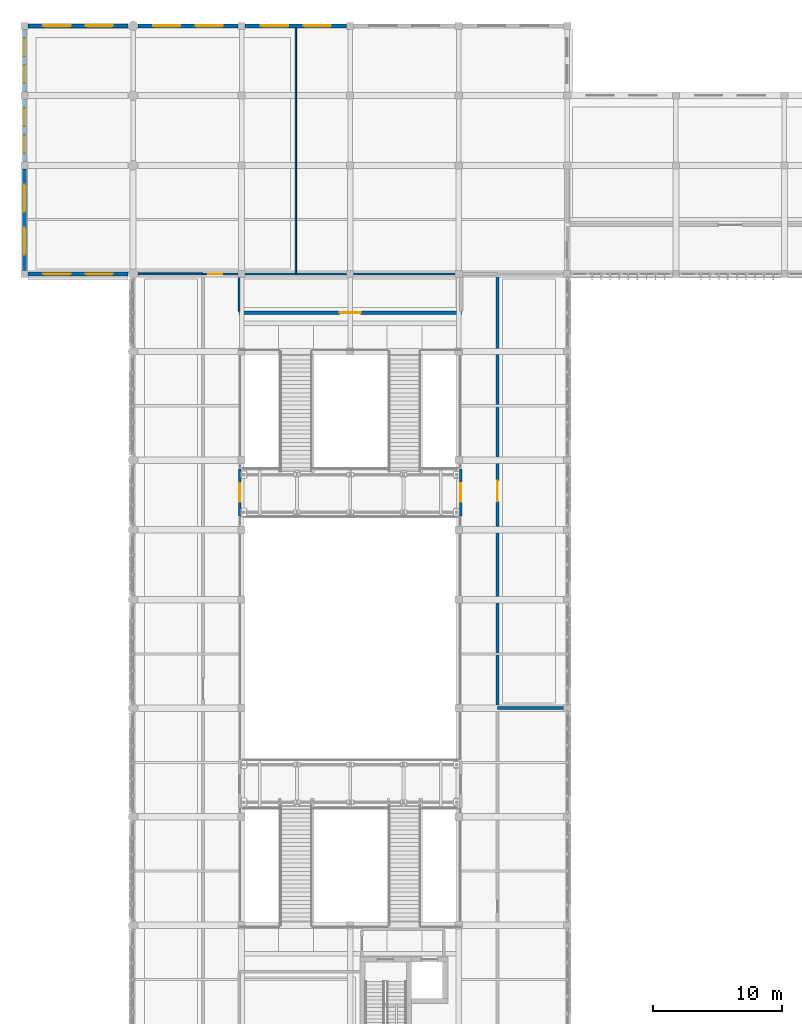
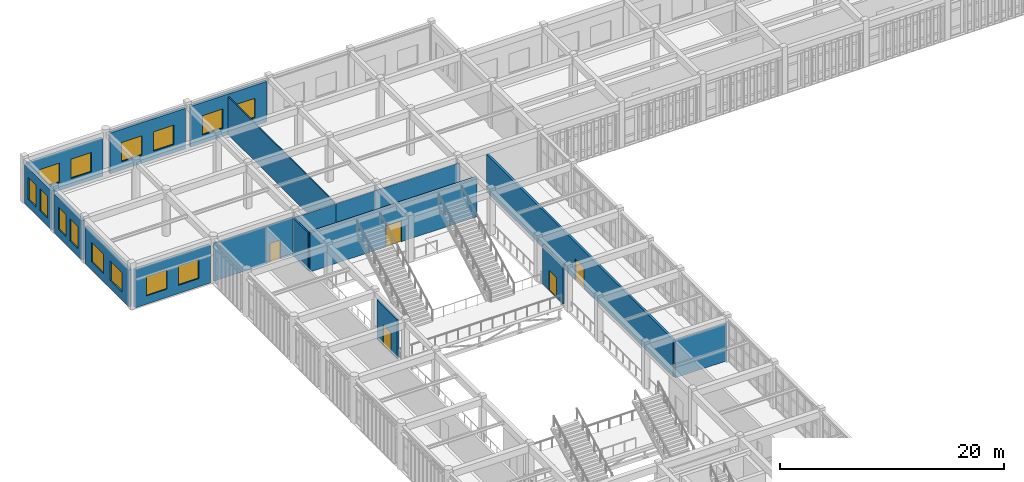
# One storey, part 90 of 106: 18 walls, 14 windows, 5 doors, 19 openings.
"""IFC4 building model written with IfcOpenShell, lengths in metres."""

from ifc_helpers import new_model, si_unit, direction, frame, frame_2d, origin, place, context, subcontext, project, spatial, rectangle, extrude, material, layer, layer_set, type_object, element, fill, save


model = new_model("IFC4")

# Units and contexts
model_context = context("Model", 3, precision=1e-05, world=origin(), true_north=direction((0.0, 1.0)))
body_context = subcontext(model_context, "Body", "Model", "MODEL_VIEW")
ifc_project = project(units=[si_unit("LENGTHUNIT", "METRE"), si_unit("AREAUNIT", "SQUARE_METRE"), si_unit("VOLUMEUNIT", "CUBIC_METRE"), si_unit("PLANEANGLEUNIT", "RADIAN"), si_unit("MASSUNIT", "GRAM", prefix="KILO")], contexts=[model_context])

# Site, building, storey
site_placement = place(None, origin())
site = spatial("IfcSite", under=ifc_project, at=site_placement, CompositionType="ELEMENT")
building_placement = place(site_placement, origin())
building = spatial("IfcBuilding", under=site, at=building_placement, Name="Krzemoval Escarpment Law Courts", CompositionType="ELEMENT")
storey_placement = place(building_placement, frame((0.0, 0.0, 5.10009765625)))
storey = spatial("IfcBuildingStorey", under=building, at=storey_placement, Name="L01", CompositionType="ELEMENT", Elevation=5.10009765625)

# Wall, openings, windows
ifc_material_1 = material(Name="Precast concrete C40/50", Category="concrete")
ifc_layer_1 = layer(ifc_material_1, 0.300048828125)
ifc_layer_set_1 = layer_set([ifc_layer_1], Name="Precast concrete C40/50")
wall_type_1 = type_object("IfcWallType", Name="WL-EXT-300", PredefinedType="SOLIDWALL", material=ifc_layer_set_1)
wall_1_placement = place(storey_placement, frame((8.02490234375, 99.60009765625, 0.0), z_axis=(0.0, 0.0, 1.0), x_axis=(-1.0, 0.0, 0.0)))
wall_1 = element("IfcWall", 1, at=wall_1_placement, inside=storey, type_object=wall_type_1, Name="Exterior Wall EW-L01-0176", PredefinedType="SOLIDWALL", context=body_context, shape_type="SweptSolid", body=[
    extrude(rectangle(XDim=7.75, YDim=0.300048828125, at=frame_2d((3.875, 0.0))), origin(), (0.0, 0.0, 1.0), 4.119873046875),
])
opening_1_placement = place(wall_1_placement, frame((1.18310546875, 0.0, 0.89990234375)))
opening_1 = element("IfcOpeningElement", 2, at=opening_1_placement, cuts=wall_1, Name="Opening WN-L01-0147", PredefinedType="OPENING", context=body_context, shape_type="SweptSolid", body=[
    extrude(rectangle(XDim=2.10009765625, YDim=2.10009765625, at=frame_2d((1.050048828125, 1.050048828125))), frame((0.0, 0.16502, 0.0), z_axis=(0.0, -1.0, 0.0), x_axis=(1.0, 0.0, 0.0)), (0.0, 0.0, 1.0), 0.33005),
])
opening_2_placement = place(wall_1_placement, frame((4.467041015625, 0.0, 0.89990234375)))
opening_2 = element("IfcOpeningElement", 3, at=opening_2_placement, cuts=wall_1, Name="Opening WN-L01-0148", PredefinedType="OPENING", context=body_context, shape_type="SweptSolid", body=[
    extrude(rectangle(XDim=2.10009765625, YDim=2.10009765625, at=frame_2d((1.050048828125, 1.050048828125))), frame((0.0, 0.16502, 0.0), z_axis=(0.0, -1.0, 0.0), x_axis=(1.0, 0.0, 0.0)), (0.0, 0.0, 1.0), 0.33005),
])
ifc_material_2 = material(Name="Thermally Broken Aluminium Frame with Triple Low-E Acoustic Glass", Category="aluminium")
window_type_1 = type_object("IfcWindowType", Name="WN-2100x2100", PartitioningType="SINGLE_PANEL", PredefinedType="WINDOW", material=ifc_material_2)
window_1_placement = place(opening_1_placement, origin())
window_1 = element("IfcWindow", 4, at=window_1_placement, inside=storey, type_object=window_type_1, Name="Facade Window WN-L01-0147", OverallHeight=2.10009765625, OverallWidth=2.10009765625, PartitioningType="SINGLE_PANEL", PredefinedType="WINDOW", context=body_context, shape_type="SweptSolid", body=[
    extrude(rectangle(XDim=2.10009765625, YDim=2.10009765625, at=frame_2d((1.050048828125, 1.050048828125))), frame((0.0, 0.030029296875, 0.0), z_axis=(0.0, -1.0, 0.0), x_axis=(1.0, 0.0, 0.0)), (0.0, 0.0, 1.0), 0.06005859375),
])
fill(opening_1, window_1)
window_2_placement = place(opening_2_placement, origin())
window_2 = element("IfcWindow", 5, at=window_2_placement, inside=storey, type_object=window_type_1, Name="Facade Window WN-L01-0148", OverallHeight=2.10009765625, OverallWidth=2.10009765625, PartitioningType="SINGLE_PANEL", PredefinedType="WINDOW", context=body_context, shape_type="SweptSolid", body=[
    extrude(rectangle(XDim=2.10009765625, YDim=2.10009765625, at=frame_2d((1.050048828125, 1.050048828125))), frame((0.0, 0.030029296875, 0.0), z_axis=(0.0, -1.0, 0.0), x_axis=(1.0, 0.0, 0.0)), (0.0, 0.0, 1.0), 0.06005859375),
])
fill(opening_2, window_2)

wall_2_placement = place(storey_placement, frame((0.0, 99.875, 0.0), z_axis=(0.0, 0.0, 1.0), x_axis=(0.0, 1.0, 0.0)))
wall_2 = element("IfcWall", 6, at=wall_2_placement, inside=storey, type_object=wall_type_1, Name="Exterior Wall EW-L01-0177", PredefinedType="SOLIDWALL", context=body_context, shape_type="SweptSolid", body=[
    extrude(rectangle(XDim=7.85009765625, YDim=0.300048828125, at=frame_2d((3.925048828125, 0.0))), origin(), (0.0, 0.0, 1.0), 4.02001953125),
])
opening_3_placement = place(wall_2_placement, frame((1.217041015625, 0.0, 0.89990234375)))
opening_3 = element("IfcOpeningElement", 7, at=opening_3_placement, cuts=wall_2, Name="Opening WN-L01-0149", PredefinedType="OPENING", context=body_context, shape_type="SweptSolid", body=[
    extrude(rectangle(XDim=2.10009765625, YDim=2.10009765625, at=frame_2d((1.050048828125, 1.050048828125))), frame((0.0, 0.16502, 0.0), z_axis=(0.0, -1.0, 0.0), x_axis=(1.0, 0.0, 0.0)), (0.0, 0.0, 1.0), 0.33005),
])
opening_4_placement = place(wall_2_placement, frame((4.532958984375, 0.0, 0.89990234375)))
opening_4 = element("IfcOpeningElement", 8, at=opening_4_placement, cuts=wall_2, Name="Opening WN-L01-0150", PredefinedType="OPENING", context=body_context, shape_type="SweptSolid", body=[
    extrude(rectangle(XDim=2.10009765625, YDim=2.10009765625, at=frame_2d((1.050048828125, 1.050048828125))), frame((0.0, 0.16502, 0.0), z_axis=(0.0, -1.0, 0.0), x_axis=(1.0, 0.0, 0.0)), (0.0, 0.0, 1.0), 0.33005),
])
window_3_placement = place(opening_3_placement, origin())
window_3 = element("IfcWindow", 9, at=window_3_placement, inside=storey, type_object=window_type_1, Name="Facade Window WN-L01-0149", OverallHeight=2.10009765625, OverallWidth=2.10009765625, PartitioningType="SINGLE_PANEL", PredefinedType="WINDOW", context=body_context, shape_type="SweptSolid", body=[
    extrude(rectangle(XDim=2.10009765625, YDim=2.10009765625, at=frame_2d((1.050048828125, 1.050048828125))), frame((0.0, 0.030029296875, 0.0), z_axis=(0.0, -1.0, 0.0), x_axis=(1.0, 0.0, 0.0)), (0.0, 0.0, 1.0), 0.06005859375),
])
fill(opening_3, window_3)
window_4_placement = place(opening_4_placement, origin())
window_4 = element("IfcWindow", 10, at=window_4_placement, inside=storey, type_object=window_type_1, Name="Facade Window WN-L01-0150", OverallHeight=2.10009765625, OverallWidth=2.10009765625, PartitioningType="SINGLE_PANEL", PredefinedType="WINDOW", context=body_context, shape_type="SweptSolid", body=[
    extrude(rectangle(XDim=2.10009765625, YDim=2.10009765625, at=frame_2d((1.050048828125, 1.050048828125))), frame((0.0, 0.030029296875, 0.0), z_axis=(0.0, -1.0, 0.0), x_axis=(1.0, 0.0, 0.0)), (0.0, 0.0, 1.0), 0.06005859375),
])
fill(opening_4, window_4)

wall_3_placement = place(storey_placement, frame((0.0, 108.27490234375, 0.0), z_axis=(0.0, 0.0, 1.0), x_axis=(0.0, 1.0, 0.0)))
wall_3 = element("IfcWall", 11, at=wall_3_placement, inside=storey, type_object=wall_type_1, Name="Exterior Wall EW-L01-0178", PredefinedType="SOLIDWALL", context=body_context, shape_type="SweptSolid", body=[
    extrude(rectangle(XDim=4.85009765625, YDim=0.300048828125, at=frame_2d((2.425048828125, 0.0))), origin(), (0.0, 0.0, 1.0), 4.27001953125),
])
opening_5_placement = place(wall_3_placement, frame((0.68310546875, 0.0, 0.85009765625)))
opening_5 = element("IfcOpeningElement", 12, at=opening_5_placement, cuts=wall_3, Name="Opening WN-L01-0151", PredefinedType="OPENING", context=body_context, shape_type="SweptSolid", body=[
    extrude(rectangle(XDim=1.39990234375, YDim=2.39990234375, at=frame_2d((0.699951171875, 1.199951171875))), frame((0.0, 0.16502, 0.0), z_axis=(0.0, -1.0, 0.0), x_axis=(1.0, 0.0, 0.0)), (0.0, 0.0, 1.0), 0.33005),
])
opening_6_placement = place(wall_3_placement, frame((2.76708984375, 0.0, 0.85009765625)))
opening_6 = element("IfcOpeningElement", 13, at=opening_6_placement, cuts=wall_3, Name="Opening WN-L01-0152", PredefinedType="OPENING", context=body_context, shape_type="SweptSolid", body=[
    extrude(rectangle(XDim=1.39990234375, YDim=2.39990234375, at=frame_2d((0.699951171875, 1.199951171875))), frame((0.0, 0.16502, 0.0), z_axis=(0.0, -1.0, 0.0), x_axis=(1.0, 0.0, 0.0)), (0.0, 0.0, 1.0), 0.33005),
])
ifc_material_3 = material(Name="Thermally Broken Aluminium Frame with Triple Low-E Acoustic Glass", Category="aluminium")
window_type_2 = type_object("IfcWindowType", Name="WN-1400x2400", PartitioningType="SINGLE_PANEL", PredefinedType="WINDOW", material=ifc_material_3)
window_5_placement = place(opening_5_placement, origin())
window_5 = element("IfcWindow", 14, at=window_5_placement, inside=storey, type_object=window_type_2, Name="Facade Window WN-L01-0151", OverallHeight=2.39990234375, OverallWidth=1.39990234375, PartitioningType="SINGLE_PANEL", PredefinedType="WINDOW", context=body_context, shape_type="SweptSolid", body=[
    extrude(rectangle(XDim=1.39990234375, YDim=2.39990234375, at=frame_2d((0.699951171875, 1.199951171875))), frame((0.0, 0.030029296875, 0.0), z_axis=(0.0, -1.0, 0.0), x_axis=(1.0, 0.0, 0.0)), (0.0, 0.0, 1.0), 0.06005859375),
])
fill(opening_5, window_5)
window_6_placement = place(opening_6_placement, origin())
window_6 = element("IfcWindow", 15, at=window_6_placement, inside=storey, type_object=window_type_2, Name="Facade Window WN-L01-0152", OverallHeight=2.39990234375, OverallWidth=1.39990234375, PartitioningType="SINGLE_PANEL", PredefinedType="WINDOW", context=body_context, shape_type="SweptSolid", body=[
    extrude(rectangle(XDim=1.39990234375, YDim=2.39990234375, at=frame_2d((0.699951171875, 1.199951171875))), frame((0.0, 0.030029296875, 0.0), z_axis=(0.0, -1.0, 0.0), x_axis=(1.0, 0.0, 0.0)), (0.0, 0.0, 1.0), 0.06005859375),
])
fill(opening_6, window_6)

wall_4_placement = place(storey_placement, frame((0.0, 113.675048828125, 0.0), z_axis=(0.0, 0.0, 1.0), x_axis=(0.0, 1.0, 0.0)))
wall_4 = element("IfcWall", 16, at=wall_4_placement, inside=storey, type_object=wall_type_1, Name="Exterior Wall EW-L01-0179", PredefinedType="SOLIDWALL", context=body_context, shape_type="SweptSolid", body=[
    extrude(rectangle(XDim=4.849853515625, YDim=0.300048828125, at=frame_2d((2.4248046875, 0.0))), origin(), (0.0, 0.0, 1.0), 4.27001953125),
])
opening_7_placement = place(wall_4_placement, frame((0.68310546875, 0.0, 0.85009765625)))
opening_7 = element("IfcOpeningElement", 17, at=opening_7_placement, cuts=wall_4, Name="Opening WN-L01-0153", PredefinedType="OPENING", context=body_context, shape_type="SweptSolid", body=[
    extrude(rectangle(XDim=1.39990234375, YDim=2.39990234375, at=frame_2d((0.699951171875, 1.199951171875))), frame((0.0, 0.16502, 0.0), z_axis=(0.0, -1.0, 0.0), x_axis=(1.0, 0.0, 0.0)), (0.0, 0.0, 1.0), 0.33005),
])
opening_8_placement = place(wall_4_placement, frame((2.76708984375, 0.0, 0.85009765625)))
opening_8 = element("IfcOpeningElement", 18, at=opening_8_placement, cuts=wall_4, Name="Opening WN-L01-0154", PredefinedType="OPENING", context=body_context, shape_type="SweptSolid", body=[
    extrude(rectangle(XDim=1.39990234375, YDim=2.39990234375, at=frame_2d((0.699951171875, 1.199951171875))), frame((0.0, 0.16502, 0.0), z_axis=(0.0, -1.0, 0.0), x_axis=(1.0, 0.0, 0.0)), (0.0, 0.0, 1.0), 0.33005),
])
window_7_placement = place(opening_7_placement, origin())
window_7 = element("IfcWindow", 19, at=window_7_placement, inside=storey, type_object=window_type_2, Name="Facade Window WN-L01-0153", OverallHeight=2.39990234375, OverallWidth=1.39990234375, PartitioningType="SINGLE_PANEL", PredefinedType="WINDOW", context=body_context, shape_type="SweptSolid", body=[
    extrude(rectangle(XDim=1.39990234375, YDim=2.39990234375, at=frame_2d((0.699951171875, 1.199951171875))), frame((0.0, 0.030029296875, 0.0), z_axis=(0.0, -1.0, 0.0), x_axis=(1.0, 0.0, 0.0)), (0.0, 0.0, 1.0), 0.06005859375),
])
fill(opening_7, window_7)
window_8_placement = place(opening_8_placement, origin())
window_8 = element("IfcWindow", 20, at=window_8_placement, inside=storey, type_object=window_type_2, Name="Facade Window WN-L01-0154", OverallHeight=2.39990234375, OverallWidth=1.39990234375, PartitioningType="SINGLE_PANEL", PredefinedType="WINDOW", context=body_context, shape_type="SweptSolid", body=[
    extrude(rectangle(XDim=1.39990234375, YDim=2.39990234375, at=frame_2d((0.699951171875, 1.199951171875))), frame((0.0, 0.030029296875, 0.0), z_axis=(0.0, -1.0, 0.0), x_axis=(1.0, 0.0, 0.0)), (0.0, 0.0, 1.0), 0.06005859375),
])
fill(opening_8, window_8)

wall_5_placement = place(storey_placement, frame((0.27490234375, 118.800048828125, 0.0), z_axis=(0.0, 0.0, 1.0), x_axis=(1.0, 0.0, 0.0)))
wall_5 = element("IfcWall", 21, at=wall_5_placement, inside=storey, type_object=wall_type_1, Name="Exterior Wall EW-L01-0180", PredefinedType="SOLIDWALL", context=body_context, shape_type="SweptSolid", body=[
    extrude(rectangle(XDim=7.75, YDim=0.300048828125, at=frame_2d((3.875, 0.0))), origin(), (0.0, 0.0, 1.0), 4.119873046875),
])
opening_9_placement = place(wall_5_placement, frame((1.18310546875, 0.0, 0.89990234375)))
opening_9 = element("IfcOpeningElement", 22, at=opening_9_placement, cuts=wall_5, Name="Opening WN-L01-0155", PredefinedType="OPENING", context=body_context, shape_type="SweptSolid", body=[
    extrude(rectangle(XDim=2.10009765625, YDim=2.10009765625, at=frame_2d((1.050048828125, 1.050048828125))), frame((0.0, 0.16502, 0.0), z_axis=(0.0, -1.0, 0.0), x_axis=(1.0, 0.0, 0.0)), (0.0, 0.0, 1.0), 0.33005),
])
opening_10_placement = place(wall_5_placement, frame((4.467041015625, 0.0, 0.89990234375)))
opening_10 = element("IfcOpeningElement", 23, at=opening_10_placement, cuts=wall_5, Name="Opening WN-L01-0156", PredefinedType="OPENING", context=body_context, shape_type="SweptSolid", body=[
    extrude(rectangle(XDim=2.10009765625, YDim=2.10009765625, at=frame_2d((1.050048828125, 1.050048828125))), frame((0.0, 0.16502, 0.0), z_axis=(0.0, -1.0, 0.0), x_axis=(1.0, 0.0, 0.0)), (0.0, 0.0, 1.0), 0.33005),
])
window_9_placement = place(opening_9_placement, origin())
window_9 = element("IfcWindow", 24, at=window_9_placement, inside=storey, type_object=window_type_1, Name="Facade Window WN-L01-0155", OverallHeight=2.10009765625, OverallWidth=2.10009765625, PartitioningType="SINGLE_PANEL", PredefinedType="WINDOW", context=body_context, shape_type="SweptSolid", body=[
    extrude(rectangle(XDim=2.10009765625, YDim=2.10009765625, at=frame_2d((1.050048828125, 1.050048828125))), frame((0.0, 0.030029296875, 0.0), z_axis=(0.0, -1.0, 0.0), x_axis=(1.0, 0.0, 0.0)), (0.0, 0.0, 1.0), 0.06005859375),
])
fill(opening_9, window_9)
window_10_placement = place(opening_10_placement, origin())
window_10 = element("IfcWindow", 25, at=window_10_placement, inside=storey, type_object=window_type_1, Name="Facade Window WN-L01-0156", OverallHeight=2.10009765625, OverallWidth=2.10009765625, PartitioningType="SINGLE_PANEL", PredefinedType="WINDOW", context=body_context, shape_type="SweptSolid", body=[
    extrude(rectangle(XDim=2.10009765625, YDim=2.10009765625, at=frame_2d((1.050048828125, 1.050048828125))), frame((0.0, 0.030029296875, 0.0), z_axis=(0.0, -1.0, 0.0), x_axis=(1.0, 0.0, 0.0)), (0.0, 0.0, 1.0), 0.06005859375),
])
fill(opening_10, window_10)

wall_6_placement = place(storey_placement, frame((8.77490234375, 118.800048828125, 0.0), z_axis=(0.0, 0.0, 1.0), x_axis=(1.0, 0.0, 0.0)))
wall_6 = element("IfcWall", 26, at=wall_6_placement, inside=storey, type_object=wall_type_1, Name="Exterior Wall EW-L01-0181", PredefinedType="SOLIDWALL", context=body_context, shape_type="SweptSolid", body=[
    extrude(rectangle(XDim=7.75, YDim=0.300048828125, at=frame_2d((3.875, 0.0))), origin(), (0.0, 0.0, 1.0), 4.429931640625),
])
opening_11_placement = place(wall_6_placement, frame((1.18310546875, 0.0, 0.89990234375)))
opening_11 = element("IfcOpeningElement", 27, at=opening_11_placement, cuts=wall_6, Name="Opening WN-L01-0157", PredefinedType="OPENING", context=body_context, shape_type="SweptSolid", body=[
    extrude(rectangle(XDim=2.10009765625, YDim=2.10009765625, at=frame_2d((1.050048828125, 1.050048828125))), frame((0.0, 0.16502, 0.0), z_axis=(0.0, -1.0, 0.0), x_axis=(1.0, 0.0, 0.0)), (0.0, 0.0, 1.0), 0.33005),
])
opening_12_placement = place(wall_6_placement, frame((4.467041015625, 0.0, 0.89990234375)))
opening_12 = element("IfcOpeningElement", 28, at=opening_12_placement, cuts=wall_6, Name="Opening WN-L01-0158", PredefinedType="OPENING", context=body_context, shape_type="SweptSolid", body=[
    extrude(rectangle(XDim=2.10009765625, YDim=2.10009765625, at=frame_2d((1.050048828125, 1.050048828125))), frame((0.0, 0.16502, 0.0), z_axis=(0.0, -1.0, 0.0), x_axis=(1.0, 0.0, 0.0)), (0.0, 0.0, 1.0), 0.33005),
])
window_11_placement = place(opening_11_placement, origin())
window_11 = element("IfcWindow", 29, at=window_11_placement, inside=storey, type_object=window_type_1, Name="Facade Window WN-L01-0157", OverallHeight=2.10009765625, OverallWidth=2.10009765625, PartitioningType="SINGLE_PANEL", PredefinedType="WINDOW", context=body_context, shape_type="SweptSolid", body=[
    extrude(rectangle(XDim=2.10009765625, YDim=2.10009765625, at=frame_2d((1.050048828125, 1.050048828125))), frame((0.0, 0.030029296875, 0.0), z_axis=(0.0, -1.0, 0.0), x_axis=(1.0, 0.0, 0.0)), (0.0, 0.0, 1.0), 0.06005859375),
])
fill(opening_11, window_11)
window_12_placement = place(opening_12_placement, origin())
window_12 = element("IfcWindow", 30, at=window_12_placement, inside=storey, type_object=window_type_1, Name="Facade Window WN-L01-0158", OverallHeight=2.10009765625, OverallWidth=2.10009765625, PartitioningType="SINGLE_PANEL", PredefinedType="WINDOW", context=body_context, shape_type="SweptSolid", body=[
    extrude(rectangle(XDim=2.10009765625, YDim=2.10009765625, at=frame_2d((1.050048828125, 1.050048828125))), frame((0.0, 0.030029296875, 0.0), z_axis=(0.0, -1.0, 0.0), x_axis=(1.0, 0.0, 0.0)), (0.0, 0.0, 1.0), 0.06005859375),
])
fill(opening_12, window_12)

wall_7_placement = place(storey_placement, frame((17.074951171875, 118.800048828125, 0.0), z_axis=(0.0, 0.0, 1.0), x_axis=(1.0, 0.0, 0.0)))
wall_7 = element("IfcWall", 31, at=wall_7_placement, inside=storey, type_object=wall_type_1, Name="Exterior Wall EW-L01-0182", PredefinedType="SOLIDWALL", context=body_context, shape_type="SweptSolid", body=[
    extrude(rectangle(XDim=7.85009765625, YDim=0.300048828125, at=frame_2d((3.925048828125, 0.0))), origin(), (0.0, 0.0, 1.0), 4.429931640625),
])
opening_13_placement = place(wall_7_placement, frame((1.217041015625, 0.0, 0.89990234375)))
opening_13 = element("IfcOpeningElement", 32, at=opening_13_placement, cuts=wall_7, Name="Opening WN-L01-0159", PredefinedType="OPENING", context=body_context, shape_type="SweptSolid", body=[
    extrude(rectangle(XDim=2.10009765625, YDim=2.10009765625, at=frame_2d((1.050048828125, 1.050048828125))), frame((0.0, 0.16502, 0.0), z_axis=(0.0, -1.0, 0.0), x_axis=(1.0, 0.0, 0.0)), (0.0, 0.0, 1.0), 0.33005),
])
opening_14_placement = place(wall_7_placement, frame((4.532958984375, 0.0, 0.89990234375)))
opening_14 = element("IfcOpeningElement", 33, at=opening_14_placement, cuts=wall_7, Name="Opening WN-L01-0160", PredefinedType="OPENING", context=body_context, shape_type="SweptSolid", body=[
    extrude(rectangle(XDim=2.10009765625, YDim=2.10009765625, at=frame_2d((1.050048828125, 1.050048828125))), frame((0.0, 0.16502, 0.0), z_axis=(0.0, -1.0, 0.0), x_axis=(1.0, 0.0, 0.0)), (0.0, 0.0, 1.0), 0.33005),
])
window_13_placement = place(opening_13_placement, origin())
window_13 = element("IfcWindow", 34, at=window_13_placement, inside=storey, type_object=window_type_1, Name="Facade Window WN-L01-0159", OverallHeight=2.10009765625, OverallWidth=2.10009765625, PartitioningType="SINGLE_PANEL", PredefinedType="WINDOW", context=body_context, shape_type="SweptSolid", body=[
    extrude(rectangle(XDim=2.10009765625, YDim=2.10009765625, at=frame_2d((1.050048828125, 1.050048828125))), frame((0.0, 0.030029296875, 0.0), z_axis=(0.0, -1.0, 0.0), x_axis=(1.0, 0.0, 0.0)), (0.0, 0.0, 1.0), 0.06005859375),
])
fill(opening_13, window_13)
window_14_placement = place(opening_14_placement, origin())
window_14 = element("IfcWindow", 35, at=window_14_placement, inside=storey, type_object=window_type_1, Name="Facade Window WN-L01-0160", OverallHeight=2.10009765625, OverallWidth=2.10009765625, PartitioningType="SINGLE_PANEL", PredefinedType="WINDOW", context=body_context, shape_type="SweptSolid", body=[
    extrude(rectangle(XDim=2.10009765625, YDim=2.10009765625, at=frame_2d((1.050048828125, 1.050048828125))), frame((0.0, 0.030029296875, 0.0), z_axis=(0.0, -1.0, 0.0), x_axis=(1.0, 0.0, 0.0)), (0.0, 0.0, 1.0), 0.06005859375),
])
fill(opening_14, window_14)

# Wall
ifc_material_4 = material(Name="Light Internal Subdivision Partition", Category="gypsum")
ifc_layer_2 = layer(ifc_material_4, 0.114990234375)
ifc_layer_set_2 = layer_set([ifc_layer_2], Name="Light Internal Subdivision Partition")
wall_type_2 = type_object("IfcWallType", Name="WL-PRT-115", PredefinedType="PARTITIONING", material=ifc_layer_set_2)
wall_8_placement = place(storey_placement, frame((21.0, 99.672119140625, 0.0), z_axis=(0.0, 0.0, 1.0), x_axis=(0.0, 1.0, 0.0)))
element("IfcWall", 36, at=wall_8_placement, inside=storey, type_object=wall_type_2, Name="Interior Partition PW-L01-0305", PredefinedType="PARTITIONING", context=body_context, shape_type="SweptSolid", body=[
    extrude(rectangle(XDim=18.975830078125, YDim=0.114990234375, at=frame_2d((9.48779296875, 0.0))), origin(), (0.0, 0.0, 1.0), 4.119873046875),
])

# Wall, opening, door
ifc_material_5 = material(Name="Standard Metal-Stud Gypsum Partition", Category="gypsum")
ifc_layer_3 = layer(ifc_material_5, 0.125)
ifc_layer_set_3 = layer_set([ifc_layer_3], Name="Standard Metal-Stud Gypsum Partition")
wall_type_3 = type_object("IfcWallType", Name="WL-PRT-125", PredefinedType="PARTITIONING", material=ifc_layer_set_3)
wall_9_placement = place(storey_placement, frame((13.800048828125, 99.60009765625, 0.0), z_axis=(0.0, 0.0, 1.0), x_axis=(1.0, 0.0, 0.0)))
wall_9 = element("IfcWall", 37, at=wall_9_placement, inside=storey, type_object=wall_type_3, Name="Interior Partition PW-L01-0279", PredefinedType="PARTITIONING", context=body_context, shape_type="SweptSolid", body=[
    extrude(rectangle(XDim=2.800048828125, YDim=0.125, at=frame_2d((1.39990234375, 0.0))), origin(), (0.0, 0.0, 1.0), 4.119873046875),
])
opening_15_placement = place(wall_9_placement, frame((0.39990234375, 0.0, 0.0)))
opening_15 = element("IfcOpeningElement", 38, at=opening_15_placement, cuts=wall_9, Name="Opening D-L01-0112", PredefinedType="OPENING", context=body_context, shape_type="SweptSolid", body=[
    extrude(rectangle(XDim=1.10009765625, YDim=2.10009765625, at=frame_2d((0.550048828125, 1.050048828125))), frame((0.0, 0.0775, 0.0), z_axis=(0.0, -1.0, 0.0), x_axis=(1.0, 0.0, 0.0)), (0.0, 0.0, 1.0), 0.155),
])
ifc_material_6 = material(Name="Engineered Solid-Core Oak Acoustic Timber", Category="wood")
door_type_1 = type_object("IfcDoorType", Name="DR-INT-1100x2100", OperationType="SINGLE_SWING_LEFT", PredefinedType="DOOR", material=ifc_material_6)
door_1_placement = place(opening_15_placement, origin())
door_1 = element("IfcDoor", 39, at=door_1_placement, inside=storey, type_object=door_type_1, Name="Room Door D-L01-0112", OperationType="SINGLE_SWING_LEFT", OverallHeight=2.10009765625, OverallWidth=1.10009765625, PredefinedType="DOOR", context=body_context, shape_type="SweptSolid", body=[
    extrude(rectangle(XDim=1.10009765625, YDim=2.10009765625, at=frame_2d((0.550048828125, 1.050048828125))), frame((0.0, 0.02490234375, 0.0), z_axis=(0.0, -1.0, 0.0), x_axis=(1.0, 0.0, 0.0)), (0.0, 0.0, 1.0), 0.050048828125),
])
fill(opening_15, door_1)

# Walls
wall_10_placement = place(storey_placement, frame((21.0, 99.60009765625, 0.0), z_axis=(0.0, 0.0, 1.0), x_axis=(1.0, 0.0, 0.0)))
element("IfcWall", 40, at=wall_10_placement, inside=storey, type_object=wall_type_3, Name="Interior Partition PW-L01-0283", PredefinedType="PARTITIONING", context=body_context, shape_type="SweptSolid", body=[
    extrude(rectangle(XDim=12.800048828125, YDim=0.125, at=frame_2d((6.39990234375, 0.0))), origin(), (0.0, 0.0, 1.0), 4.02001953125),
])
ifc_material_7 = material(Name="Sanitary Moisture-Resistant Partition", Category="gypsum")
ifc_layer_4 = layer(ifc_material_7, 0.139892578125)
ifc_layer_set_4 = layer_set([ifc_layer_4], Name="Sanitary Moisture-Resistant Partition")
wall_type_4 = type_object("IfcWallType", Name="WL-PRT-140", PredefinedType="PARTITIONING", material=ifc_layer_set_4)
wall_11_placement = place(storey_placement, frame((16.60009765625, 99.60009765625, 0.0), z_axis=(0.0, 0.0, 1.0), x_axis=(1.0, 0.0, 0.0)))
element("IfcWall", 41, at=wall_11_placement, inside=storey, type_object=wall_type_4, Name="Interior Partition PW-L01-0282", PredefinedType="PARTITIONING", context=body_context, shape_type="SweptSolid", body=[
    extrude(rectangle(XDim=4.39990234375, YDim=0.139892578125, at=frame_2d((2.199951171875, 0.0))), origin(), (0.0, 0.0, 1.0), 4.02001953125),
])
wall_12_placement = place(storey_placement, frame((16.60009765625, 96.721923828125, 0.0), z_axis=(0.0, 0.0, 1.0), x_axis=(0.0, 1.0, 0.0)))
element("IfcWall", 42, at=wall_12_placement, inside=storey, type_object=wall_type_4, Name="Interior Partition PW-L01-0300", PredefinedType="PARTITIONING", context=body_context, shape_type="SweptSolid", body=[
    extrude(rectangle(XDim=2.80615234375, YDim=0.139892578125, at=frame_2d((1.403076171875, 0.0))), origin(), (0.0, 0.0, 1.0), 4.119873046875),
])
ifc_material_8 = material(Name="Office Acoustic Partition Wall", Category="gypsum")
ifc_layer_5 = layer(ifc_material_8, 0.14990234375)
ifc_layer_set_5 = layer_set([ifc_layer_5], Name="Office Acoustic Partition Wall")
wall_type_5 = type_object("IfcWallType", Name="WL-PRT-150", PredefinedType="PARTITIONING", material=ifc_layer_set_5)
wall_13_placement = place(storey_placement, frame((8.409912109375, 99.60009765625, 0.0), z_axis=(0.0, 0.0, 1.0), x_axis=(1.0, 0.0, 0.0)))
element("IfcWall", 43, at=wall_13_placement, inside=storey, type_object=wall_type_5, Name="Interior Partition PW-L01-0278", PredefinedType="PARTITIONING", context=body_context, shape_type="SweptSolid", body=[
    extrude(rectangle(XDim=5.39013671875, YDim=0.14990234375, at=frame_2d((2.695068359375, 0.0))), origin(), (0.0, 0.0, 1.0), 4.119873046875),
])

# Wall, opening, door
ifc_material_9 = material(Name="Fire-Rated Corridor Partition Wall", Category="gypsum")
ifc_layer_6 = layer(ifc_material_9, 0.199951171875)
ifc_layer_set_6 = layer_set([ifc_layer_6], Name="Fire-Rated Corridor Partition Wall")
wall_type_6 = type_object("IfcWallType", Name="WL-PRT-200", PredefinedType="PARTITIONING", material=ifc_layer_set_6)
wall_14_placement = place(storey_placement, frame((16.64990234375, 80.8701171875, 0.0), z_axis=(0.0, 0.0, 1.0), x_axis=(0.0, 1.0, 0.0)))
wall_14 = element("IfcWall", 44, at=wall_14_placement, inside=storey, type_object=wall_type_6, Name="Atrium Bridge Smoke Portal Wall PW-L01-0007", PredefinedType="PARTITIONING", context=body_context, shape_type="SweptSolid", body=[
    extrude(rectangle(XDim=3.6298828125, YDim=0.199951171875, at=frame_2d((1.81494140625, 0.0))), origin(), (0.0, 0.0, 1.0), 4.27001953125),
])
opening_16_placement = place(wall_14_placement, frame((1.114990234375, 0.0, 0.0)))
opening_16 = element("IfcOpeningElement", 45, at=opening_16_placement, cuts=wall_14, Name="Opening D-L01-0007", PredefinedType="OPENING", context=body_context, shape_type="SweptSolid", body=[
    extrude(rectangle(XDim=1.39990234375, YDim=2.199951171875, at=frame_2d((0.699951171875, 1.10009765625))), frame((0.0, 0.11498, 0.0), z_axis=(0.0, -1.0, 0.0), x_axis=(1.0, 0.0, 0.0)), (0.0, 0.0, 1.0), 0.22995),
])
ifc_material_10 = material(Name="Galvanised Steel S355", Category="steel")
door_type_2 = type_object("IfcDoorType", Name="DR-FFL-1400x2200", OperationType="SINGLE_SWING_LEFT", PredefinedType="DOOR", material=ifc_material_10)
door_2_placement = place(opening_16_placement, origin())
door_2 = element("IfcDoor", 46, at=door_2_placement, inside=storey, type_object=door_type_2, Name="Atrium Bridge Smoke Door D-L01-0007", OperationType="SINGLE_SWING_LEFT", OverallHeight=2.199951171875, OverallWidth=1.39990234375, PredefinedType="DOOR", context=body_context, shape_type="SweptSolid", body=[
    extrude(rectangle(XDim=1.39990234375, YDim=2.199951171875, at=frame_2d((0.699951171875, 1.10009765625))), frame((0.0, 0.02490234375, 0.0), z_axis=(0.0, -1.0, 0.0), x_axis=(1.0, 0.0, 0.0)), (0.0, 0.0, 1.0), 0.050048828125),
])
fill(opening_16, door_2)

wall_15_placement = place(storey_placement, frame((33.75, 80.8701171875, 0.0), z_axis=(0.0, 0.0, 1.0), x_axis=(0.0, 1.0, 0.0)))
wall_15 = element("IfcWall", 47, at=wall_15_placement, inside=storey, type_object=wall_type_6, Name="Atrium Bridge Smoke Portal Wall PW-L01-0008", PredefinedType="PARTITIONING", context=body_context, shape_type="SweptSolid", body=[
    extrude(rectangle(XDim=3.6298828125, YDim=0.199951171875, at=frame_2d((1.81494140625, 0.0))), origin(), (0.0, 0.0, 1.0), 4.27001953125),
])
opening_17_placement = place(wall_15_placement, frame((1.114990234375, 0.0, 0.0)))
opening_17 = element("IfcOpeningElement", 48, at=opening_17_placement, cuts=wall_15, Name="Opening D-L01-0008", PredefinedType="OPENING", context=body_context, shape_type="SweptSolid", body=[
    extrude(rectangle(XDim=1.39990234375, YDim=2.199951171875, at=frame_2d((0.699951171875, 1.10009765625))), frame((0.0, 0.11498, 0.0), z_axis=(0.0, -1.0, 0.0), x_axis=(1.0, 0.0, 0.0)), (0.0, 0.0, 1.0), 0.22995),
])
door_3_placement = place(opening_17_placement, origin())
door_3 = element("IfcDoor", 49, at=door_3_placement, inside=storey, type_object=door_type_2, Name="Atrium Bridge Smoke Door D-L01-0008", OperationType="SINGLE_SWING_LEFT", OverallHeight=2.199951171875, OverallWidth=1.39990234375, PredefinedType="DOOR", context=body_context, shape_type="SweptSolid", body=[
    extrude(rectangle(XDim=1.39990234375, YDim=2.199951171875, at=frame_2d((0.699951171875, 1.10009765625))), frame((0.0, 0.02490234375, 0.0), z_axis=(0.0, -1.0, 0.0), x_axis=(1.0, 0.0, 0.0)), (0.0, 0.0, 1.0), 0.050048828125),
])
fill(opening_17, door_3)

# Wall
ifc_material_11 = material(Name="Solid Calcium-Silicate Custody Blockwork Partition", Category="masonry")
ifc_layer_7 = layer(ifc_material_11, 0.219970703125)
ifc_layer_set_7 = layer_set([ifc_layer_7], Name="Solid Calcium-Silicate Custody Blockwork Partition")
wall_type_7 = type_object("IfcWallType", Name="WL-PRT-220", PredefinedType="PARTITIONING", material=ifc_layer_set_7)
wall_16_placement = place(storey_placement, frame((36.60009765625, 66.0, 0.0), z_axis=(0.0, 0.0, 1.0), x_axis=(1.0, 0.0, 0.0)))
element("IfcWall", 50, at=wall_16_placement, inside=storey, type_object=wall_type_7, Name="Interior Partition PW-L01-0269", PredefinedType="PARTITIONING", context=body_context, shape_type="SweptSolid", body=[
    extrude(rectangle(XDim=5.3359375, YDim=0.219970703125, at=frame_2d((2.66796875, 0.0))), origin(), (0.0, 0.0, 1.0), 4.06982421875),
])

# Wall, opening, door
wall_17_placement = place(storey_placement, frame((36.60009765625, 66.112060546875, 0.0), z_axis=(0.0, 0.0, 1.0), x_axis=(0.0, 1.0, 0.0)))
wall_17 = element("IfcWall", 51, at=wall_17_placement, inside=storey, type_object=wall_type_7, Name="Interior Partition PW-L01-0314", PredefinedType="PARTITIONING", context=body_context, shape_type="SweptSolid", body=[
    extrude(rectangle(XDim=33.365966796875, YDim=0.219970703125, at=frame_2d((16.68310546875, 0.0))), origin(), (0.0, 0.0, 1.0), 4.06982421875),
])
opening_18_placement = place(wall_17_placement, frame((15.883056640625, 0.0, 0.0)))
opening_18 = element("IfcOpeningElement", 52, at=opening_18_placement, cuts=wall_17, Name="Opening D-L01-0110", PredefinedType="OPENING", context=body_context, shape_type="SweptSolid", body=[
    extrude(rectangle(XDim=1.60009765625, YDim=2.300048828125, at=frame_2d((0.800048828125, 1.14990234375))), frame((0.0, 0.12499, 0.0), z_axis=(0.0, -1.0, 0.0), x_axis=(1.0, 0.0, 0.0)), (0.0, 0.0, 1.0), 0.24997),
])
ifc_material_12 = material(Name="Engineered Solid-Core Oak Acoustic Timber", Category="wood")
door_type_3 = type_object("IfcDoorType", Name="DR-CRT-1600x2300", OperationType="SINGLE_SWING_LEFT", PredefinedType="DOOR", material=ifc_material_12)
door_4_placement = place(opening_18_placement, origin())
door_4 = element("IfcDoor", 53, at=door_4_placement, inside=storey, type_object=door_type_3, Name="Room Door D-L01-0110", OperationType="SINGLE_SWING_LEFT", OverallHeight=2.300048828125, OverallWidth=1.60009765625, PredefinedType="DOOR", context=body_context, shape_type="SweptSolid", body=[
    extrude(rectangle(XDim=1.60009765625, YDim=2.300048828125, at=frame_2d((0.800048828125, 1.14990234375))), frame((0.0, 0.02490234375, 0.0), z_axis=(0.0, -1.0, 0.0), x_axis=(1.0, 0.0, 0.0)), (0.0, 0.0, 1.0), 0.050048828125),
])
fill(opening_18, door_4)

ifc_material_13 = material(Name="Acoustic Courtroom Partition Assembly", Category="gypsum")
ifc_layer_8 = layer(ifc_material_13, 0.239990234375)
ifc_layer_set_8 = layer_set([ifc_layer_8], Name="Acoustic Courtroom Partition Assembly")
wall_type_8 = type_object("IfcWallType", Name="WL-PRT-240", PredefinedType="PARTITIONING", material=ifc_layer_set_8)
wall_18_placement = place(storey_placement, frame((16.60009765625, 96.60009765625, 0.0), z_axis=(0.0, 0.0, 1.0), x_axis=(1.0, 0.0, 0.0)))
wall_18 = element("IfcWall", 54, at=wall_18_placement, inside=storey, type_object=wall_type_8, Name="Interior Partition PW-L01-0277", PredefinedType="PARTITIONING", context=body_context, shape_type="SweptSolid", body=[
    extrude(rectangle(XDim=17.199951171875, YDim=0.239990234375, at=frame_2d((8.60009765625, 0.0))), origin(), (0.0, 0.0, 1.0), 4.27001953125),
])
opening_19_placement = place(wall_18_placement, frame((7.800048828125, 0.0, 0.0)))
opening_19 = element("IfcOpeningElement", 55, at=opening_19_placement, cuts=wall_18, Name="Opening D-L01-0111", PredefinedType="OPENING", context=body_context, shape_type="SweptSolid", body=[
    extrude(rectangle(XDim=1.60009765625, YDim=2.300048828125, at=frame_2d((0.800048828125, 1.14990234375))), frame((0.0, 0.135, 0.0), z_axis=(0.0, -1.0, 0.0), x_axis=(1.0, 0.0, 0.0)), (0.0, 0.0, 1.0), 0.26999),
])
door_5_placement = place(opening_19_placement, origin())
door_5 = element("IfcDoor", 56, at=door_5_placement, inside=storey, type_object=door_type_3, Name="Room Door D-L01-0111", OperationType="SINGLE_SWING_LEFT", OverallHeight=2.300048828125, OverallWidth=1.60009765625, PredefinedType="DOOR", context=body_context, shape_type="SweptSolid", body=[
    extrude(rectangle(XDim=1.60009765625, YDim=2.300048828125, at=frame_2d((0.800048828125, 1.14990234375))), frame((0.0, 0.02490234375, 0.0), z_axis=(0.0, -1.0, 0.0), x_axis=(1.0, 0.0, 0.0)), (0.0, 0.0, 1.0), 0.050048828125),
])
fill(opening_19, door_5)

save(model, "model.ifc")
